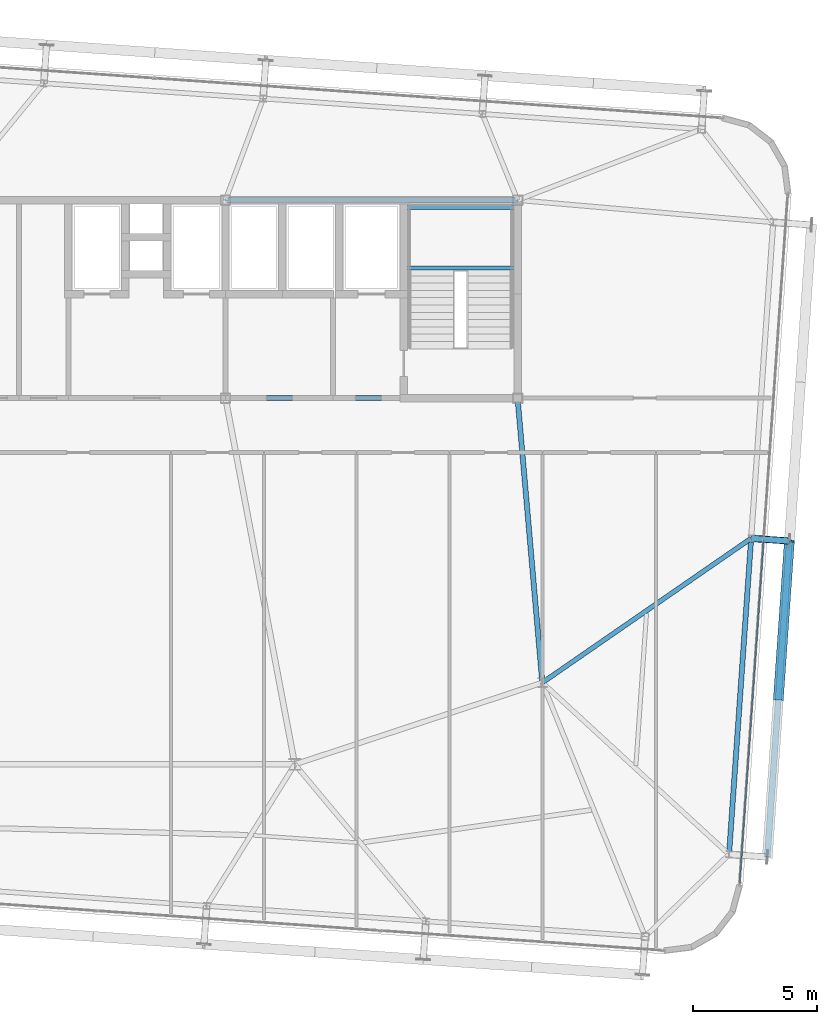
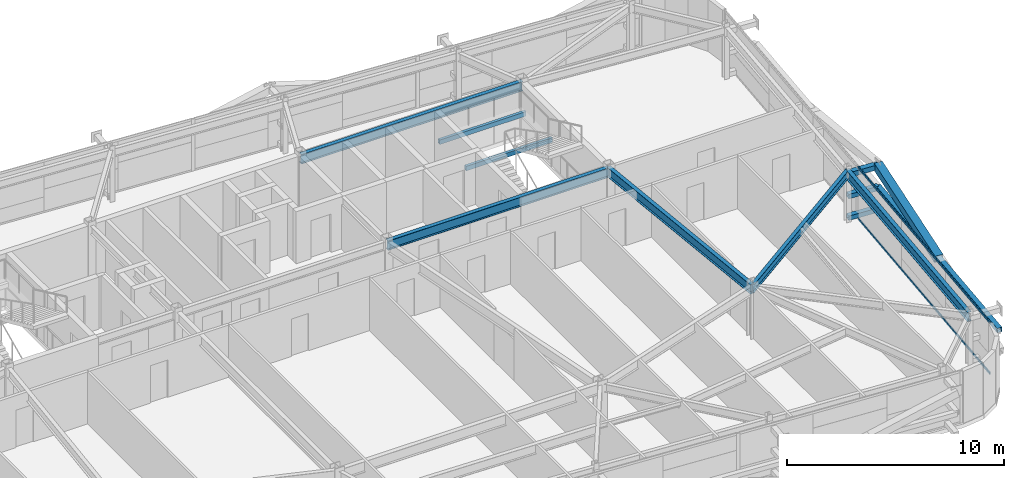
# One storey, part 16 of 39: 7 beams, 7 members, 1 element without a shape of its own.
"""IFC4 building model written with IfcOpenShell, lengths in metres."""

from ifc_helpers import new_model, si_unit, direction, frame, origin, origin_2d, place, context, subcontext, project, spatial, hollow_rectangle, i_section, extrude, source, transform, mapped, material, layer, layer_set, material_profile, profile_set, type_object, element, aggregate, save


model = new_model("IFC4")

# Units and contexts
model_context = context("Model", 3, precision=1e-05, world=origin(), true_north=direction((0.0, 1.0)))
body_context = subcontext(model_context, "Body", "Model", "MODEL_VIEW")
ifc_project = project(units=[si_unit("LENGTHUNIT", "METRE"), si_unit("AREAUNIT", "SQUARE_METRE"), si_unit("VOLUMEUNIT", "CUBIC_METRE"), si_unit("PLANEANGLEUNIT", "RADIAN"), si_unit("MASSUNIT", "GRAM", prefix="KILO")], contexts=[model_context])

# Site, building, storey
site_placement = place(None, origin())
site = spatial("IfcSite", under=ifc_project, at=site_placement, CompositionType="ELEMENT")
building_placement = place(site_placement, origin())
building = spatial("IfcBuilding", under=site, at=building_placement, Name="Taldren Reach Tower", CompositionType="ELEMENT")
storey_placement = place(building_placement, frame((0.0, 0.0, 133.0)))
storey = spatial("IfcBuildingStorey", under=building, at=storey_placement, Name="L40", CompositionType="ELEMENT", Elevation=133.0)

# Beams
ifc_material_1 = material(Name="Steel Gr 350 (350PLUS)", Category="steel")
ifc_material_profile_1 = material_profile(ifc_material_1, i_section(OverallWidth=0.208984375, OverallDepth=0.532958984375, WebThickness=0.01025390625, FlangeThickness=0.015625, at=origin_2d()), Name="530UB92.4")
ifc_profile_set_1 = profile_set([ifc_material_profile_1], Name="Steel Gr 350 (350PLUS)")
beam_type_1 = type_object("IfcBeamType", Name="BM-UB530A", PredefinedType="BEAM", material=ifc_profile_set_1)
shared_shape_1 = source(origin(), body_context, "Body", "SweptSolid", [
    extrude(i_section(OverallWidth=0.208984375, OverallDepth=0.532958984375, WebThickness=0.01025390625, FlangeThickness=0.015625, at=origin_2d()), origin(), (0.0, 0.0, 1.0), 11.800048828125),
])
for number, where, z_axis, x_axis, name in (
    (1, (39.199951171875, 24.0, 2.66357421875), (1.0, 0.0, 0.0), (0.0, 1.0, 0.0), "Core-spine girder L40-SP03"),
    (2, (39.199951171875, 32.0, 2.66357421875), (1.0, 0.0, 0.0), (0.0, 1.0, 0.0), "Core-spine girder L40-SP06"),
):
    element("IfcBeam", number, at=place(storey_placement, frame(where, z_axis=z_axis, x_axis=x_axis)), inside=storey, type_object=beam_type_1, Name=name, PredefinedType="BEAM", context=body_context, shape_type="MappedRepresentation", body=[
        mapped(shared_shape_1, transform((0.0, 0.0, 0.0), scale=1.0)),
    ])
shared_shape_2 = source(origin(), body_context, "Body", "SweptSolid", [
    extrude(i_section(OverallWidth=0.208984375, OverallDepth=0.532958984375, WebThickness=0.01025390625, FlangeThickness=0.015625, at=origin_2d()), origin(), (0.0, 0.0, 1.0), 11.54345703125),
])
beam_1_placement = place(storey_placement, frame((52.0, 12.5, 2.66357421875), z_axis=(-0.086629616365, 0.996240588196, 0.0), x_axis=(-0.996240588196, -0.086629616365, 0.0)))
element("IfcBeam", 3, at=beam_1_placement, inside=storey, type_object=beam_type_1, Name="Core-spine girder L40-SP13", PredefinedType="BEAM", context=body_context, shape_type="MappedRepresentation", body=[
    mapped(shared_shape_2, transform((0.0, 0.0, 0.0), scale=1.0)),
])

# Members
ifc_material_2 = material(Name="Steel Gr 450 (C450L0)", Category="steel")
ifc_material_profile_2 = material_profile(ifc_material_2, hollow_rectangle(XDim=0.27490234375, YDim=0.27490234375, WallThickness=0.00927734375, at=origin_2d()), Name="275x275x9.3SHS")
ifc_profile_set_2 = profile_set([ifc_material_profile_2], Name="Steel Gr 450 (C450L0)")
member_type_1 = type_object("IfcMemberType", Name="MB-TIE273", PredefinedType="STRUT", material=ifc_profile_set_2)
shared_shape_3 = source(origin(), body_context, "Body", "SweptSolid", [
    extrude(hollow_rectangle(XDim=0.27490234375, YDim=0.27490234375, WallThickness=0.00927734375, at=origin_2d()), origin(), (0.0, 0.0, 1.0), 1.5498046875),
])
member_1_placement = place(storey_placement, frame((60.438232421875, 18.331787109375, 2.64990234375), z_axis=(0.997562367434, -0.069780535098, 0.0), x_axis=(0.069780535098, 0.997562367434, 0.0)))
element("IfcMember", 4, at=member_1_placement, inside=storey, type_object=member_type_1, Name="Exoskeleton diaphragm tie strut B3-E2 L40", PredefinedType="STRUT", context=body_context, shape_type="MappedRepresentation", body=[
    mapped(shared_shape_3, transform((0.0, 0.0, 0.0), scale=1.0)),
])
ifc_material_3 = material(Name="Steel Gr 350 (C350L0)", Category="steel")
ifc_material_profile_3 = material_profile(ifc_material_3, hollow_rectangle(XDim=0.25, YDim=0.25, WallThickness=0.010009765625, at=origin_2d()), Name="250x250x10.0SHS")
ifc_profile_set_3 = profile_set([ifc_material_profile_3], Name="Steel Gr 350 (C350L0)")
member_type_2 = type_object("IfcMemberType", Name="MB-POST250", PredefinedType="POST", material=ifc_profile_set_3)
shared_shape_4 = source(origin(), body_context, "Body", "SweptSolid", [
    extrude(hollow_rectangle(XDim=0.25, YDim=0.25, WallThickness=0.010009765625, at=origin_2d()), origin(), (0.0, 0.0, 1.0), 1.5498046875),
])
for number, where, z_axis, x_axis, name in (
    (5, (60.438232421875, 18.331787109375, 0.219970703125), (0.997562367434, -0.069780535098, 0.0), (0.069780535098, 0.997562367434, 0.0), "Exoskeleton base diaphragm tie strut B3-E2 L40"),
    (6, (60.438232421875, 18.331787109375, 1.43505859375), (0.997562367434, -0.069780535098, 0.0), (0.069780535098, 0.997562367434, 0.0), "Exoskeleton mid-tier diaphragm tie B3-E2 L40"),
):
    element("IfcMember", number, at=place(storey_placement, frame(where, z_axis=z_axis, x_axis=x_axis)), inside=storey, type_object=member_type_2, Name=name, PredefinedType="POST", context=body_context, shape_type="MappedRepresentation", body=[
        mapped(shared_shape_4, transform((0.0, 0.0, 0.0), scale=1.0)),
    ])

# Beams
ifc_material_profile_4 = material_profile(ifc_material_1, i_section(OverallWidth=0.208984375, OverallDepth=0.528076171875, WebThickness=0.009521484375, FlangeThickness=0.01318359375, at=origin_2d()), Name="530UB82.0")
ifc_profile_set_4 = profile_set([ifc_material_profile_4], Name="Steel Gr 350 (350PLUS)")
beam_type_2 = type_object("IfcBeamType", Name="SP-UB530B", PredefinedType="SPANDREL", material=ifc_profile_set_4)
shared_shape_5 = source(origin(), body_context, "Body", "SweptSolid", [
    extrude(i_section(OverallWidth=0.208984375, OverallDepth=0.528076171875, WebThickness=0.009521484375, FlangeThickness=0.01318359375, at=origin_2d()), origin(), (0.0, 0.0, 1.0), 12.80029296875),
])
beam_2_placement = place(storey_placement, frame((59.54541015625, 5.562744140625, 2.666015625), z_axis=(0.069750549628, 0.997564464497, 0.0), x_axis=(-0.997564464497, 0.069750549628, 0.0)))
element("IfcBeam", 7, at=beam_2_placement, inside=storey, type_object=beam_type_2, Name="Perimeter spandrel B3 E1-E2 L40", PredefinedType="SPANDREL", context=body_context, shape_type="MappedRepresentation", body=[
    mapped(shared_shape_5, transform((0.0, 0.0, 0.0), scale=1.0)),
])
ifc_material_profile_5 = material_profile(ifc_material_1, i_section(OverallWidth=0.19091796875, OverallDepth=0.4599609375, WebThickness=0.010009765625, FlangeThickness=0.01611328125, at=origin_2d()), Name="460UB82.1")
ifc_profile_set_5 = profile_set([ifc_material_profile_5], Name="Steel Gr 350 (350PLUS)")
beam_type_3 = type_object("IfcBeamType", Name="BM-UB460A", PredefinedType="BEAM", material=ifc_profile_set_5)
shared_shape_6 = source(origin(), body_context, "Body", "SweptSolid", [
    extrude(i_section(OverallWidth=0.19091796875, OverallDepth=0.4599609375, WebThickness=0.010009765625, FlangeThickness=0.01611328125, at=origin_2d()), origin(), (0.0, 0.0, 1.0), 10.25732421875),
])
beam_3_placement = place(storey_placement, frame((52.0, 12.5, 2.699951171875), z_axis=(0.822651197727, 0.568546398175, 0.0), x_axis=(-0.568546398175, 0.822651197727, 0.0)))
element("IfcBeam", 8, at=beam_3_placement, inside=storey, type_object=beam_type_3, Name="Primary floor girder B3-E2 L40", PredefinedType="BEAM", context=body_context, shape_type="MappedRepresentation", body=[
    mapped(shared_shape_6, transform((0.0, 0.0, 0.0), scale=1.0)),
])

# Members
shared_shape_7 = source(origin(), body_context, "Body", "SweptSolid", [
    extrude(hollow_rectangle(XDim=0.25, YDim=0.25, WallThickness=0.010009765625, at=origin_2d()), origin(), (0.0, 0.0, 1.0), 12.800048828125),
])
member_2_placement = place(storey_placement, frame((61.091552734375, 5.454833984375, 1.43505859375), z_axis=(0.069751876777, 0.9975643717, 0.0), x_axis=(-0.9975643717, 0.069751876777, 0.0)))
element("IfcMember", 9, at=member_2_placement, inside=storey, type_object=member_type_2, Name="Exoskeleton mid-height ring chord B3-E1 L40", PredefinedType="POST", context=body_context, shape_type="MappedRepresentation", body=[
    mapped(shared_shape_7, transform((0.0, 0.0, 0.0), scale=1.0)),
])
ifc_material_profile_6 = material_profile(ifc_material_2, hollow_rectangle(XDim=0.409912109375, YDim=0.409912109375, WallThickness=0.01611328125, at=origin_2d()), Name="410x410x16.0SHS")
ifc_profile_set_6 = profile_set([ifc_material_profile_6], Name="Steel Gr 450 (C450L0)")
member_type_3 = type_object("IfcMemberType", Name="MB-EXO406", PredefinedType="BRACE", material=ifc_profile_set_6)
shared_shape_8 = source(origin(), body_context, "Body", "SweptSolid", [
    extrude(hollow_rectangle(XDim=0.409912109375, YDim=0.409912109375, WallThickness=0.01611328125, at=origin_2d()), origin(), (0.0, 0.0, 1.0), 6.514404296875),
])
member_3_placement = place(storey_placement, frame((61.5380859375, 11.839111328125, 1.43505859375), z_axis=(0.068508304784, 0.980066016634, 0.186486501425), x_axis=(-0.997565791441, 0.069731569223, 0.0)))
element("IfcMember", 10, at=member_3_placement, inside=storey, type_object=member_type_3, Name="Exoskeleton Diagrid Brace B3-E1 L40", PredefinedType="BRACE", context=body_context, shape_type="MappedRepresentation", body=[
    mapped(shared_shape_8, transform((0.0, 0.0, 0.0), scale=1.0)),
])

# Curtain wall, members
ifc_material_4 = material(Name="Aluminium and Low-E Glass Unitised System", Category="aluminium")
ifc_layer = layer(ifc_material_4, 0.159912109375)
ifc_layer_set = layer_set([ifc_layer], Name="Aluminium and Low-E Glass Unitised System")
curtain_wall_type = type_object("IfcCurtainWallType", Name="CW-SYS-4", PredefinedType="NOTDEFINED", material=ifc_layer_set)
curtain_wall_placement = place(storey_placement, origin())
curtain_wall = element("IfcCurtainWall", 11, at=curtain_wall_placement, inside=storey, type_object=curtain_wall_type, Name="Unitised curtain wall CW-L40-E", PredefinedType="NOTDEFINED")
ifc_material_5 = material(Name="Anodised Aluminium 6063-T6", Category="aluminium")
ifc_material_profile_7 = material_profile(ifc_material_5, hollow_rectangle(XDim=0.054931640625, YDim=0.1201171875, WallThickness=0.0029296875, at=origin_2d()), Name="ALU-120x55x3RHS")
ifc_profile_set_7 = profile_set([ifc_material_profile_7], Name="Anodised Aluminium 6063-T6")
member_type_4 = type_object("IfcMemberType", Name="CW-TRN-135", PredefinedType="USERDEFINED", material=ifc_profile_set_7)
shared_shape_9 = source(origin(), body_context, "Body", "SweptSolid", [
    extrude(hollow_rectangle(XDim=0.054931640625, YDim=0.1201171875, WallThickness=0.0029296875, at=origin_2d()), origin(), (0.0, 0.0, 1.0), 13.89501953125),
])
member_4_placement = place(storey_placement, frame((59.975341796875, 4.400146484375, 0.027587890625), z_axis=(0.069754817075, 0.997564166104, 0.0), x_axis=(-0.997564166104, 0.069754817075, 0.0)))
member_4 = element("IfcMember", 12, at=member_4_placement, type_object=member_type_4, Name="CW-4 transom 1.1", ObjectType="TRANSOM", PredefinedType="USERDEFINED", context=body_context, shape_type="MappedRepresentation", body=[
    mapped(shared_shape_9, transform((0.0, 0.0, 0.0), scale=1.0)),
])
member_5_placement = place(storey_placement, frame((59.975341796875, 4.400146484375, 2.902587890625), z_axis=(0.069754817075, 0.997564166104, 0.0), x_axis=(-0.997564166104, 0.069754817075, 0.0)))
member_5 = element("IfcMember", 13, at=member_5_placement, type_object=member_type_4, Name="CW-4 transom 1.2", ObjectType="TRANSOM", PredefinedType="USERDEFINED", context=body_context, shape_type="MappedRepresentation", body=[
    mapped(shared_shape_9, transform((0.0, 0.0, 0.0), scale=1.0)),
])
aggregate(curtain_wall, [member_4, member_5])

# Beams
ifc_material_profile_8 = material_profile(ifc_material_3, hollow_rectangle(XDim=0.14990234375, YDim=0.25, WallThickness=0.009033203125, at=origin_2d()), Name="250x150x9.0RHS")
ifc_profile_set_8 = profile_set([ifc_material_profile_8], Name="Steel Gr 350 (C350L0)")
beam_type_4 = type_object("IfcBeamType", Name="LN-RHS250", PredefinedType="LINTEL", material=ifc_profile_set_8)
shared_shape_10 = source(origin(), body_context, "Body", "SweptSolid", [
    extrude(hollow_rectangle(XDim=0.14990234375, YDim=0.25, WallThickness=0.009033203125, at=origin_2d()), origin(), (0.0, 0.0, 1.0), 4.60009765625),
])
for number, where, z_axis, x_axis, name in (
    (14, (46.39990234375, 29.2548828125, 1.27001953125), (1.0, 0.0, 0.0), (0.0, 1.0, 0.0), "Stair half-landing support beam ST2-L40-1"),
    (15, (46.39990234375, 31.699951171875, 1.27001953125), (1.0, 0.0, 0.0), (0.0, 1.0, 0.0), "Stair half-landing support beam ST2-L40-2"),
):
    element("IfcBeam", number, at=place(storey_placement, frame(where, z_axis=z_axis, x_axis=x_axis)), inside=storey, type_object=beam_type_4, Name=name, PredefinedType="LINTEL", context=body_context, shape_type="MappedRepresentation", body=[
        mapped(shared_shape_10, transform((0.0, 0.0, 0.0), scale=1.0)),
    ])

save(model, "model.ifc")
